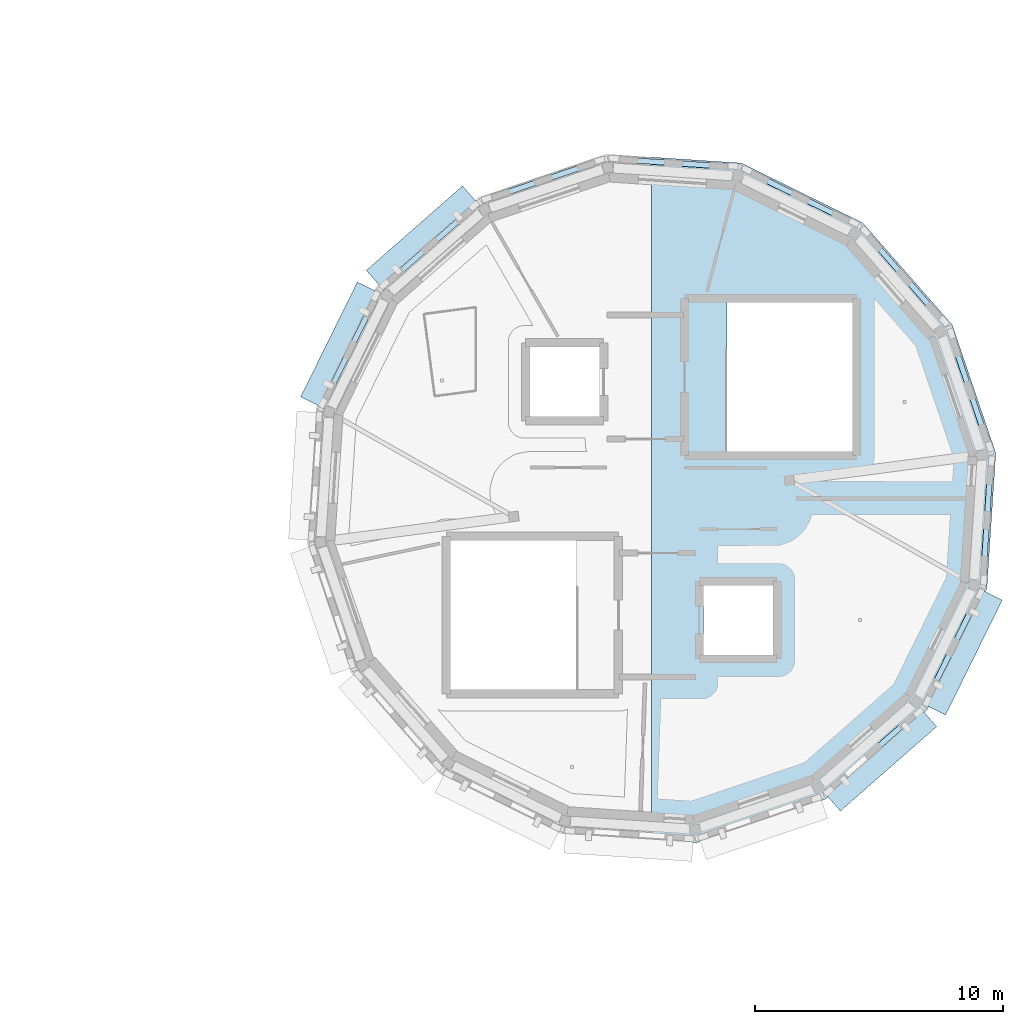
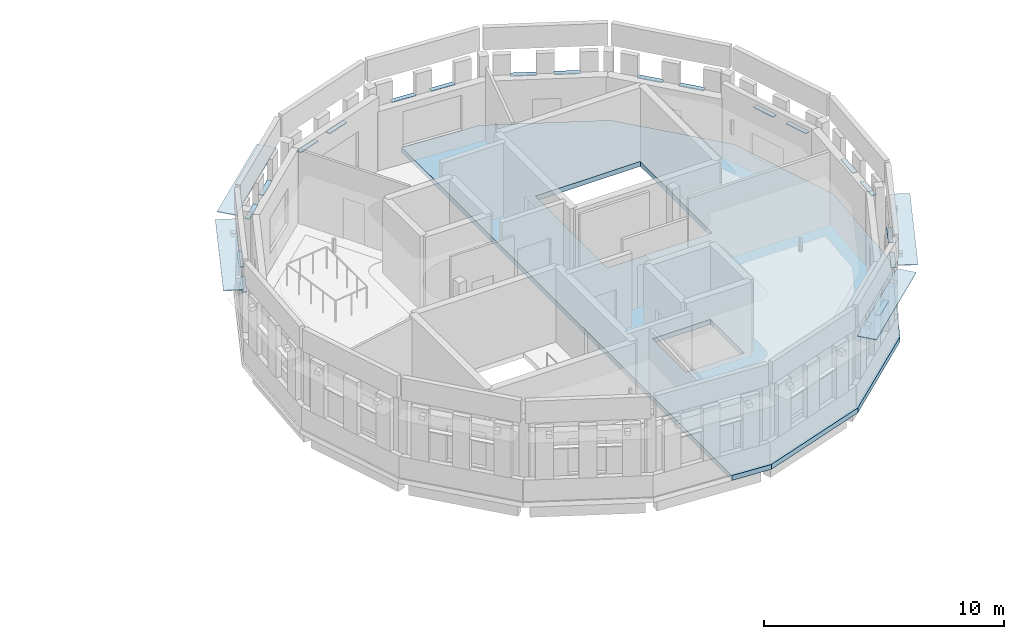
# One storey, part 7 of 18: 23 plates, 1 slab.
"""IFC4 building model written with IfcOpenShell, lengths in metres."""

from ifc_helpers import new_model, si_unit, direction, frame, origin, origin_2d, place, context, subcontext, project, spatial, polyline, rectangle, outline, extrude, material, layer, layer_set, type_object, element, save


model = new_model("IFC4")

# Units and contexts
model_context = context("Model", 3, precision=1e-05, world=origin(), true_north=direction((0.0, 1.0)))
body_context = subcontext(model_context, "Body", "Model", "MODEL_VIEW")
ifc_project = project(units=[si_unit("LENGTHUNIT", "METRE"), si_unit("AREAUNIT", "SQUARE_METRE"), si_unit("VOLUMEUNIT", "CUBIC_METRE"), si_unit("PLANEANGLEUNIT", "RADIAN"), si_unit("MASSUNIT", "GRAM", prefix="KILO")], contexts=[model_context])

# Site, building, storey
site_placement = place(None, origin())
site = spatial("IfcSite", under=ifc_project, at=site_placement, CompositionType="ELEMENT")
building_placement = place(site_placement, origin())
building = spatial("IfcBuilding", under=site, at=building_placement, Name="Wrenclough Park School", CompositionType="ELEMENT")
storey_placement = place(building_placement, frame((0.0, 0.0, 20.800048828125)))
storey = spatial("IfcBuildingStorey", under=building, at=storey_placement, Name="L05", CompositionType="ELEMENT", Elevation=20.800048828125)

# Plates
ifc_material_1 = material(Name="Anodised architectural aluminium solar shading fin plate", Category="aluminium")
ifc_layer_1 = layer(ifc_material_1, 0.0380859375)
ifc_layer_set_1 = layer_set([ifc_layer_1], Name="Anodised architectural aluminium solar shading fin plate")
plate_type = type_object("IfcPlateType", Name="ENV-PL-BSF", PredefinedType="SHEET", material=ifc_layer_set_1)
for number, where, z_axis, x_axis, name in (
    (1, (187.62451171875, 96.99365234375, 2.60595703125), (0.0, 0.0, 1.0), (-0.321429435697, 0.946933534028, 0.0), "D5 L05 open-bond brick screen tie band 0733"),
    (2, (187.039306640625, 98.718017578125, 2.60595703125), (0.0, 0.0, 1.0), (-0.321429435697, 0.946933534028, 0.0), "D5 L05 open-bond brick screen tie band 0734"),
    (3, (185.28857421875, 101.750244140625, 2.60595703125), (0.0, 0.0, 1.0), (-0.659350509406, 0.751835690657, 0.0), "D5 L05 open-bond brick screen tie band 0735"),
    (4, (184.087890625, 103.119140625, 2.60595703125), (0.0, 0.0, 1.0), (-0.659350509406, 0.751835690657, 0.0), "D5 L05 open-bond brick screen tie band 0736"),
    (5, (181.31005859375, 105.2509765625, 2.60595703125), (0.0, 0.0, 1.0), (-0.896866792014, 0.442300754444, 0.0), "D5 L05 open-bond brick screen tie band 0737"),
    (6, (179.677001953125, 106.05615234375, 2.60595703125), (0.0, 0.0, 1.0), (-0.896866792014, 0.442300754444, 0.0), "D5 L05 open-bond brick screen tie band 0738"),
    (7, (176.294677734375, 106.96240234375, 2.60595703125), (0.0, 0.0, 1.0), (-0.997859769756, 0.065390212583, 0.0), "D5 L05 open-bond brick screen tie band 0739"),
    (8, (174.477783203125, 107.08154296875, 2.60595703125), (0.0, 0.0, 1.0), (-0.997859769756, 0.065390212583, 0.0), "D5 L05 open-bond brick screen tie band 0740"),
    (9, (171.00634765625, 106.62451171875, 2.60595703125), (0.0, 0.0, 1.0), (-0.946933534028, -0.321429435697, 0.0), "D5 L05 open-bond brick screen tie band 0741"),
    (10, (169.281982421875, 106.039306640625, 2.60595703125), (0.0, 0.0, 1.0), (-0.946933534028, -0.321429435697, 0.0), "D5 L05 open-bond brick screen tie band 0742"),
    (11, (166.249755859375, 104.28857421875, 2.60595703125), (0.0, 0.0, 1.0), (-0.751835690657, -0.659350509406, 0.0), "D5 L05 open-bond brick screen tie band 0743"),
    (12, (164.880859375, 103.087890625, 2.60595703125), (0.0, 0.0, 1.0), (-0.751835690657, -0.659350509406, 0.0), "D5 L05 open-bond brick screen tie band 0744"),
):
    element("IfcPlate", number, at=place(storey_placement, frame(where, z_axis=z_axis, x_axis=x_axis)), inside=storey, type_object=plate_type, Name=name, PredefinedType="SHEET", context=body_context, shape_type="SweptSolid", body=[
        extrude(rectangle(XDim=1.11083984375, YDim=0.219970703125, at=origin_2d()), origin(), (0.0, 0.0, 1.0), 0.0419921875),
    ])
plate_1_placement = place(storey_placement, frame((165.22412109375, 104.077392578125, 3.5009765625), z_axis=(0.0, 0.0, 1.0), x_axis=(-0.751835690657, -0.659350509406, 0.0)))
element("IfcPlate", 13, at=plate_1_placement, inside=storey, type_object=plate_type, Name="D5 L05 sun-side projecting brise-soleil blade 0144", PredefinedType="SHEET", context=body_context, shape_type="SweptSolid", body=[
    extrude(rectangle(XDim=5.16259765625, YDim=0.85009765625, at=origin_2d()), origin(), (0.0, 0.0, 1.0), 0.0380859375),
])
for number, where, z_axis, x_axis, name in (
    (14, (162.7490234375, 100.31005859375, 2.60595703125), (0.0, 0.0, 1.0), (-0.442300754444, -0.896866792014, 0.0), "D5 L05 open-bond brick screen tie band 0745"),
    (15, (161.94384765625, 98.677001953125, 2.60595703125), (0.0, 0.0, 1.0), (-0.442300754444, -0.896866792014, 0.0), "D5 L05 open-bond brick screen tie band 0746"),
):
    element("IfcPlate", number, at=place(storey_placement, frame(where, z_axis=z_axis, x_axis=x_axis)), inside=storey, type_object=plate_type, Name=name, PredefinedType="SHEET", context=body_context, shape_type="SweptSolid", body=[
        extrude(rectangle(XDim=1.11083984375, YDim=0.219970703125, at=origin_2d()), origin(), (0.0, 0.0, 1.0), 0.0419921875),
    ])
plate_2_placement = place(storey_placement, frame((161.88232421875, 99.722412109375, 3.5009765625), z_axis=(0.0, 0.0, 1.0), x_axis=(-0.442300754444, -0.896866792014, 0.0)))
element("IfcPlate", 16, at=plate_2_placement, inside=storey, type_object=plate_type, Name="D5 L05 sun-side projecting brise-soleil blade 0145", PredefinedType="SHEET", context=body_context, shape_type="SweptSolid", body=[
    extrude(rectangle(XDim=5.16259765625, YDim=0.85009765625, at=origin_2d()), origin(), (0.0, 0.0, 1.0), 0.0380859375),
])
plate_3_placement = place(storey_placement, frame((184.119140625, 83.912109375, 2.60595703125), z_axis=(0.0, 0.0, 1.0), x_axis=(0.751835690657, 0.659350509406, 0.0)))
element("IfcPlate", 17, at=plate_3_placement, inside=storey, type_object=plate_type, Name="D5 L05 open-bond brick screen tie band 0760", PredefinedType="SHEET", context=body_context, shape_type="SweptSolid", body=[
    extrude(rectangle(XDim=1.11083984375, YDim=0.219970703125, at=origin_2d()), origin(), (0.0, 0.0, 1.0), 0.0419921875),
])
plate_4_placement = place(storey_placement, frame((183.77587890625, 82.922607421875, 3.5009765625), z_axis=(0.0, 0.0, 1.0), x_axis=(0.751835690657, 0.659350509406, 0.0)))
element("IfcPlate", 18, at=plate_4_placement, inside=storey, type_object=plate_type, Name="D5 L05 sun-side projecting brise-soleil blade 0152", PredefinedType="SHEET", context=body_context, shape_type="SweptSolid", body=[
    extrude(rectangle(XDim=5.16259765625, YDim=0.85009765625, at=origin_2d()), origin(), (0.0, 0.0, 1.0), 0.0380859375),
])
for number, where, z_axis, x_axis, name in (
    (19, (186.2509765625, 86.68994140625, 2.60595703125), (0.0, 0.0, 1.0), (0.442300754444, 0.896866792014, 0.0), "D5 L05 open-bond brick screen tie band 0761"),
    (20, (187.05615234375, 88.322998046875, 2.60595703125), (0.0, 0.0, 1.0), (0.442300754444, 0.896866792014, 0.0), "D5 L05 open-bond brick screen tie band 0762"),
):
    element("IfcPlate", number, at=place(storey_placement, frame(where, z_axis=z_axis, x_axis=x_axis)), inside=storey, type_object=plate_type, Name=name, PredefinedType="SHEET", context=body_context, shape_type="SweptSolid", body=[
        extrude(rectangle(XDim=1.11083984375, YDim=0.219970703125, at=origin_2d()), origin(), (0.0, 0.0, 1.0), 0.0419921875),
    ])
plate_5_placement = place(storey_placement, frame((187.11767578125, 87.277587890625, 3.5009765625), z_axis=(0.0, 0.0, 1.0), x_axis=(0.442300754444, 0.896866792014, 0.0)))
element("IfcPlate", 21, at=plate_5_placement, inside=storey, type_object=plate_type, Name="D5 L05 sun-side projecting brise-soleil blade 0153", PredefinedType="SHEET", context=body_context, shape_type="SweptSolid", body=[
    extrude(rectangle(XDim=5.16259765625, YDim=0.85009765625, at=origin_2d()), origin(), (0.0, 0.0, 1.0), 0.0380859375),
])
for number, where, z_axis, x_axis, name in (
    (22, (187.96240234375, 91.705322265625, 2.60595703125), (0.0, 0.0, 1.0), (0.065390212583, 0.997859769756, 0.0), "D5 L05 open-bond brick screen tie band 0763"),
    (23, (188.08154296875, 93.522216796875, 2.60595703125), (0.0, 0.0, 1.0), (0.065390212583, 0.997859769756, 0.0), "D5 L05 open-bond brick screen tie band 0764"),
):
    element("IfcPlate", number, at=place(storey_placement, frame(where, z_axis=z_axis, x_axis=x_axis)), inside=storey, type_object=plate_type, Name=name, PredefinedType="SHEET", context=body_context, shape_type="SweptSolid", body=[
        extrude(rectangle(XDim=1.11083984375, YDim=0.219970703125, at=origin_2d()), origin(), (0.0, 0.0, 1.0), 0.0419921875),
    ])

# Slab
ifc_material_2 = material(Name="Concrete C32/40", Category="concrete")
ifc_layer_2 = layer(ifc_material_2, 0.25)
ifc_layer_set_2 = layer_set([ifc_layer_2], Name="Concrete C32/40")
slab_type = type_object("IfcSlabType", Name="STR-SL-FL250", PredefinedType="FLOOR", material=ifc_layer_set_2)
slab_placement = place(storey_placement, frame((0.0, 0.0, -0.25)))
element("IfcSlab", 24, at=slab_placement, inside=storey, type_object=slab_type, Name="D5 L05 structural slab SLAB-D5-L05-E", PredefinedType="FLOOR", context=body_context, shape_type="SweptSolid", body=[
    extrude(outline(polyline([(178.12353515625, 107.02294921875), (174.506103515625, 107.260009765625), (174.506103515625, 79.7392578125), (176.327392578125, 79.619873046875), (181.5, 81.37548828125), (185.60693359375, 84.977294921875), (188.02294921875, 89.87646484375), (188.380126953125, 95.327392578125), (186.62451171875, 100.5), (183.022705078125, 104.60693359375), (178.12353515625, 107.02294921875)]), holes=[polyline([(176.60009765625, 87.199951171875), (179.39990234375, 87.199951171875), (179.39990234375, 90.0), (176.60009765625, 90.0), (176.60009765625, 87.199951171875)]), polyline([(177.548095703125, 95.39990234375), (182.60009765625, 95.39990234375), (182.60009765625, 101.39990234375), (177.548095703125, 101.39990234375), (177.548095703125, 95.39990234375)])]), origin(), (0.0, 0.0, 1.0), 0.25),
])

save(model, "model.ifc")
